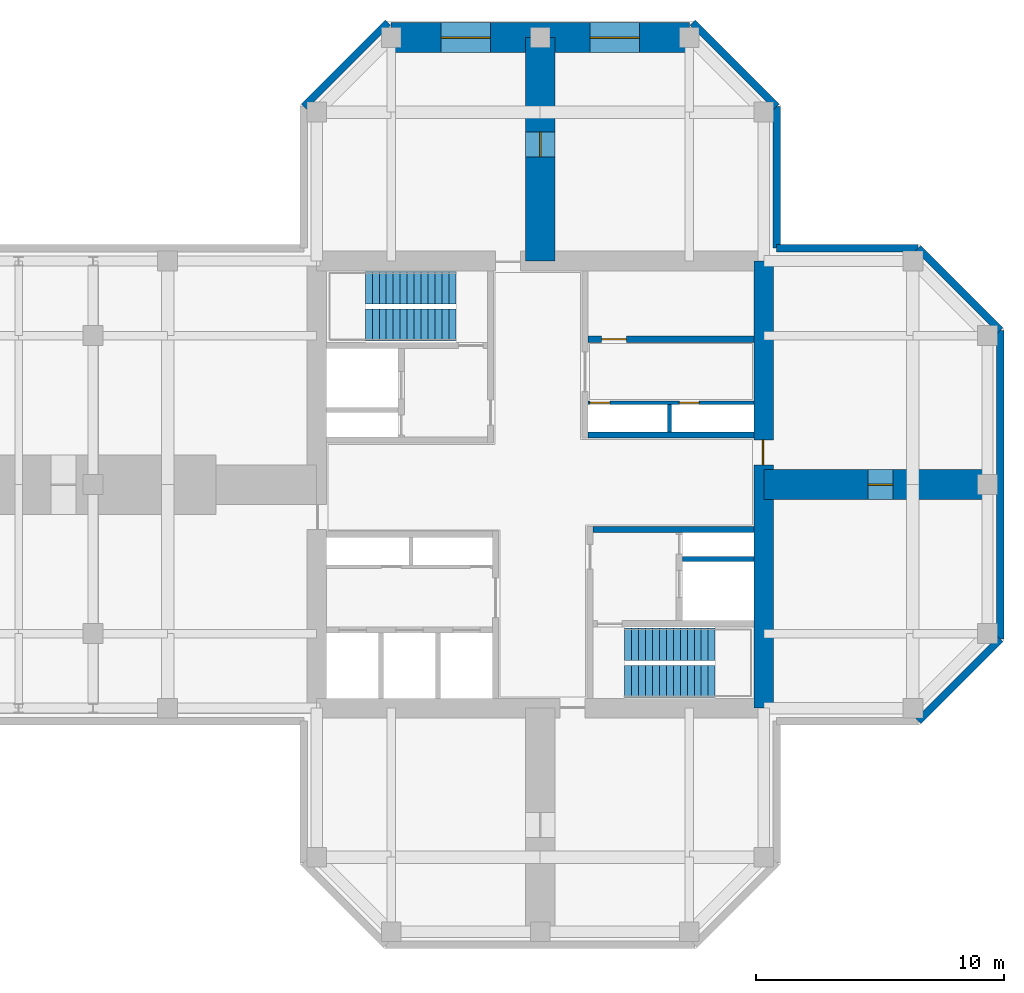
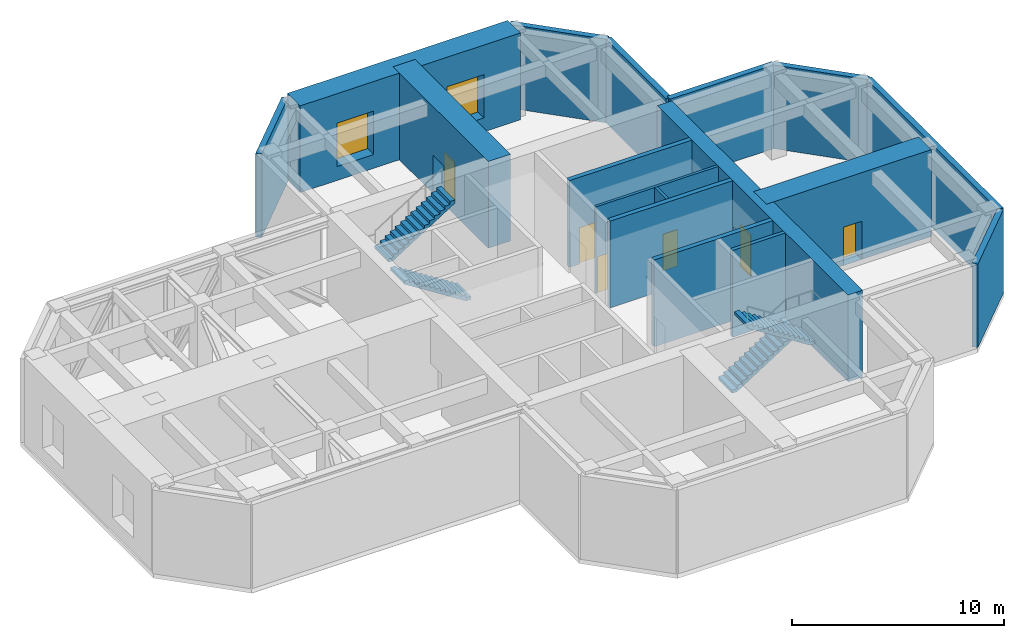
# One storey, part 5 of 6: 17 walls, 6 doors, 4 stair flights, 2 windows, 8 openings, 2 elements without a shape of their own.
"""IFC4 building model written with IfcOpenShell, lengths in metres."""

from ifc_helpers import new_model, si_unit, direction, frame, frame_2d, origin, place, context, subcontext, project, spatial, polyline, rectangle, hollow_rectangle, outline, extrude, material, layer, layer_set, constituent, constituent_set, type_object, element, fill, aggregate, save


model = new_model("IFC4")

# Units and contexts
model_context = context("Model", 3, precision=1e-05, world=origin(), true_north=direction((0.0, 1.0)))
body_context = subcontext(model_context, "Body", "Model", "MODEL_VIEW")
ifc_project = project(units=[si_unit("LENGTHUNIT", "METRE"), si_unit("AREAUNIT", "SQUARE_METRE"), si_unit("VOLUMEUNIT", "CUBIC_METRE"), si_unit("PLANEANGLEUNIT", "RADIAN"), si_unit("MASSUNIT", "GRAM", prefix="KILO")], contexts=[model_context])

# Site, building, storey
site_placement = place(None, origin())
site = spatial("IfcSite", under=ifc_project, at=site_placement, CompositionType="ELEMENT")
building_placement = place(site_placement, origin())
building = spatial("IfcBuilding", under=site, at=building_placement, Name="Torre Cruceta", CompositionType="ELEMENT")
storey_placement = place(building_placement, frame((0.0, 0.0, 252.699951171875)))
storey = spatial("IfcBuildingStorey", under=building, at=storey_placement, Name="L65", CompositionType="ELEMENT", Elevation=252.699951171875)

# Wall
ifc_material_1 = material(Name="Concrete G60 (fck 60 MPa)", Category="concrete")
ifc_layer_1 = layer(ifc_material_1, 0.25)
ifc_layer_set_1 = layer_set([ifc_layer_1], Name="Concrete G60 (fck 60 MPa)")
wall_type_1 = type_object("IfcWallType", Name="CORE INNER WALL 250 G60", PredefinedType="SHEAR", material=ifc_layer_set_1)
wall_1_placement = place(storey_placement, frame((1.925048828125, 2.0, 0.0), z_axis=(0.0, 0.0, 1.0), x_axis=(1.0, 0.0, 0.0)))
element("IfcWall", 1, at=wall_1_placement, inside=storey, type_object=wall_type_1, Name="CW4 L65 NE-CV", PredefinedType="SHEAR", context=body_context, shape_type="SweptSolid", body=[
    extrude(rectangle(XDim=6.675048828125, YDim=0.25, at=frame_2d((3.33740234375, 0.0))), origin(), (0.0, 0.0, 1.0), 5.0),
])

# Wall, opening, door
wall_2_placement = place(storey_placement, frame((1.925048828125, 5.85009765625, 0.0), z_axis=(0.0, 0.0, 1.0), x_axis=(1.0, 0.0, 0.0)))
wall_2 = element("IfcWall", 2, at=wall_2_placement, inside=storey, type_object=wall_type_1, Name="CW4 L65 NE-LV", PredefinedType="SHEAR", context=body_context, shape_type="SweptSolid", body=[
    extrude(rectangle(XDim=6.675048828125, YDim=0.25, at=frame_2d((3.33740234375, 0.0))), origin(), (0.0, 0.0, 1.0), 5.0),
])
opening_1_placement = place(wall_2_placement, frame((0.5458984375, 0.0, 0.0)))
opening_1 = element("IfcOpeningElement", 3, at=opening_1_placement, cuts=wall_2, Name="Opening D3", PredefinedType="OPENING", context=body_context, shape_type="SweptSolid", body=[
    extrude(rectangle(XDim=1.0, YDim=2.10009765625, at=frame_2d((0.5, 1.050048828125))), frame((0.0, 0.135009765625, 0.0), z_axis=(0.0, -1.0, 0.0), x_axis=(1.0, 0.0, 0.0)), (0.0, 0.0, 1.0), 0.27001953125),
])
ifc_material_2 = material(Name="Steel DX51D", Category="steel")
ifc_constituent_1 = constituent(ifc_material_2, Name="Leaf and frame")
ifc_material_3 = material(Name="Polyester powder coating", Category="paint")
ifc_constituent_2 = constituent(ifc_material_3, Name="Finish")
ifc_constituent_set_1 = constituent_set(constituents=[ifc_constituent_1, ifc_constituent_2], Name="Steel fire door")
door_type_1 = type_object("IfcDoorType", Name="FIRE DOOR 1000X2100", OperationType="SINGLE_SWING_LEFT", PredefinedType="DOOR", material=ifc_constituent_set_1)
door_1_placement = place(opening_1_placement, origin())
door_1 = element("IfcDoor", 4, at=door_1_placement, inside=storey, type_object=door_type_1, Name="D3 L65 NE-HR1", OperationType="SINGLE_SWING_LEFT", OverallHeight=2.10009765625, OverallWidth=1.0, PredefinedType="DOOR", context=body_context, shape_type="SweptSolid", body=[
    extrude(rectangle(XDim=1.0, YDim=2.10009765625, at=frame_2d((0.5, 1.050048828125))), frame((0.0, 0.02490234375, 0.0), z_axis=(0.0, -1.0, 0.0), x_axis=(1.0, 0.0, 0.0)), (0.0, 0.0, 1.0), 0.050048828125),
])
fill(opening_1, door_1)

# Wall
wall_3_placement = place(storey_placement, frame((2.125, -1.800048828125, 0.0), z_axis=(0.0, 0.0, 1.0), x_axis=(1.0, 0.0, 0.0)))
element("IfcWall", 5, at=wall_3_placement, inside=storey, type_object=wall_type_1, Name="CW4 L65 SE-CV", PredefinedType="SHEAR", context=body_context, shape_type="SweptSolid", body=[
    extrude(rectangle(XDim=6.47509765625, YDim=0.25, at=frame_2d((3.237548828125, 0.0))), origin(), (0.0, 0.0, 1.0), 5.0),
])

# Wall, opening, door
ifc_material_4 = material(Name="Concrete G60 (fck 60 MPa)", Category="concrete")
ifc_layer_2 = layer(ifc_material_4, 0.800048828125)
ifc_layer_set_2 = layer_set([ifc_layer_2], Name="Concrete G60 (fck 60 MPa)")
wall_type_2 = type_object("IfcWallType", Name="CORE WALL 800 G60", PredefinedType="SHEAR", material=ifc_layer_set_2)
wall_4_placement = place(storey_placement, frame((9.0, -9.0, 0.0), z_axis=(0.0, 0.0, 1.0), x_axis=(0.0, 1.0, 0.0)))
wall_4 = element("IfcWall", 6, at=wall_4_placement, inside=storey, type_object=wall_type_2, Name="CW3 L65 CW-E", PredefinedType="SHEAR", context=body_context, shape_type="SweptSolid", body=[
    extrude(rectangle(XDim=18.0, YDim=0.800048828125, at=frame_2d((9.0, 0.0))), origin(), (0.0, 0.0, 1.0), 5.0),
])
opening_2_placement = place(wall_4_placement, frame((9.800048828125, 0.0, 0.0)))
opening_2 = element("IfcOpeningElement", 7, at=opening_2_placement, cuts=wall_4, Name="Opening D4", PredefinedType="OPENING", context=body_context, shape_type="SweptSolid", body=[
    extrude(rectangle(XDim=1.0, YDim=2.39990234375, at=frame_2d((0.5, 1.199951171875))), frame((0.0, 0.409912109375, 0.0), z_axis=(0.0, -1.0, 0.0), x_axis=(1.0, 0.0, 0.0)), (0.0, 0.0, 1.0), 0.820068359375),
])
ifc_material_5 = material(Name="Steel DX51D", Category="steel")
ifc_constituent_3 = constituent(ifc_material_5, Name="Leaf and frame")
ifc_material_6 = material(Name="Polyester powder coating", Category="paint")
ifc_constituent_4 = constituent(ifc_material_6, Name="Finish")
ifc_constituent_set_2 = constituent_set(constituents=[ifc_constituent_3, ifc_constituent_4], Name="Steel fire door")
door_type_2 = type_object("IfcDoorType", Name="CORE ARM DOOR 1000X2400", OperationType="SINGLE_SWING_RIGHT", PredefinedType="DOOR", material=ifc_constituent_set_2)
door_2_placement = place(opening_2_placement, frame((1.0, 0.0, 0.0), z_axis=(0.0, 0.0, 1.0), x_axis=(-1.0, 0.0, 0.0)))
door_2 = element("IfcDoor", 8, at=door_2_placement, inside=storey, type_object=door_type_2, Name="D4 L65 CW-E", OperationType="SINGLE_SWING_RIGHT", OverallHeight=2.39990234375, OverallWidth=1.0, PredefinedType="DOOR", context=body_context, shape_type="SweptSolid", body=[
    extrude(rectangle(XDim=1.0, YDim=2.39990234375, at=frame_2d((0.5, 1.199951171875))), frame((0.0, -0.005126953125, 0.0), z_axis=(0.0, -1.0, 0.0), x_axis=(1.0, 0.0, 0.0)), (0.0, 0.0, 1.0), 0.050048828125),
])
fill(opening_2, door_2)

# Walls
ifc_material_7 = material(Name="Concrete G30 (fck 30 MPa)", Category="concrete")
ifc_layer_3 = layer(ifc_material_7, 0.300048828125)
ifc_layer_set_3 = layer_set([ifc_layer_3], Name="Concrete G30 (fck 30 MPa)")
wall_type_3 = type_object("IfcWallType", Name="EXPOSED CONCRETE FACADE WALL 300", PredefinedType="SOLIDWALL", material=ifc_layer_set_3)
wall_5_placement = place(storey_placement, frame((15.21533203125, -9.52001953125, 0.0), z_axis=(0.0, 0.0, 1.0), x_axis=(0.707106781187, 0.707106781187, 0.0)))
element("IfcWall", 9, at=wall_5_placement, inside=storey, type_object=wall_type_3, Name="EW1 facade wall L65 E chamfer 01", PredefinedType="SOLIDWALL", context=body_context, shape_type="SweptSolid", body=[
    extrude(rectangle(XDim=4.673583984375, YDim=0.300048828125, at=frame_2d((2.3369140625, 0.0))), origin(), (0.0, 0.0, 1.0), 4.820068359375),
])
wall_6_placement = place(storey_placement, frame((18.52001953125, -6.21533203125, 0.0), z_axis=(0.0, 0.0, 1.0), x_axis=(0.0, 1.0, 0.0)))
element("IfcWall", 10, at=wall_6_placement, inside=storey, type_object=wall_type_3, Name="EW1 facade wall L65 E tip 02", PredefinedType="SOLIDWALL", context=body_context, shape_type="SweptSolid", body=[
    extrude(rectangle(XDim=12.4306640625, YDim=0.300048828125, at=frame_2d((6.21533203125, 0.0))), origin(), (0.0, 0.0, 1.0), 4.820068359375),
])
wall_7_placement = place(storey_placement, frame((18.52001953125, 6.21533203125, 0.0), z_axis=(0.0, 0.0, 1.0), x_axis=(-0.707106781187, 0.707106781187, 0.0)))
element("IfcWall", 11, at=wall_7_placement, inside=storey, type_object=wall_type_3, Name="EW1 facade wall L65 E chamfer 03", PredefinedType="SOLIDWALL", context=body_context, shape_type="SweptSolid", body=[
    extrude(rectangle(XDim=4.673583984375, YDim=0.300048828125, at=frame_2d((2.3369140625, 0.0))), origin(), (0.0, 0.0, 1.0), 4.820068359375),
])
for number, where, z_axis, x_axis, name in (
    (12, (15.21533203125, 9.52001953125, 0.0), (0.0, 0.0, 1.0), (-1.0, 0.0, 0.0), "EW1 facade wall L65 E side 04"),
    (13, (9.52001953125, 9.52001953125, 0.0), (0.0, 0.0, 1.0), (0.0, 1.0, 0.0), "EW1 facade wall L65 N side 05"),
):
    element("IfcWall", number, at=place(storey_placement, frame(where, z_axis=z_axis, x_axis=x_axis)), inside=storey, type_object=wall_type_3, Name=name, PredefinedType="SOLIDWALL", context=body_context, shape_type="SweptSolid", body=[
        extrude(rectangle(XDim=5.6953125, YDim=0.300048828125, at=frame_2d((2.84765625, 0.0))), origin(), (0.0, 0.0, 1.0), 4.820068359375),
    ])
for number, where, z_axis, x_axis, name in (
    (14, (9.52001953125, 15.21533203125, 0.0), (0.0, 0.0, 1.0), (-0.707081278264, 0.707132283189, 0.0), "EW1 facade wall L65 N chamfer 06"),
    (15, (-6.135498046875, 18.60009765625, 0.0), (0.0, 0.0, 1.0), (-0.707081278264, -0.707132283189, 0.0), "EW1 facade wall L65 N chamfer 08"),
):
    element("IfcWall", number, at=place(storey_placement, frame(where, z_axis=z_axis, x_axis=x_axis)), inside=storey, type_object=wall_type_3, Name=name, PredefinedType="SOLIDWALL", context=body_context, shape_type="SweptSolid", body=[
        extrude(rectangle(XDim=4.78662109375, YDim=0.300048828125, at=frame_2d((2.393310546875, 0.0))), origin(), (0.0, 0.0, 1.0), 4.820068359375),
    ])
ifc_material_8 = material(Name="Concrete G35 (fck 35 MPa)", Category="concrete")
ifc_layer_4 = layer(ifc_material_8, 0.199951171875)
ifc_layer_set_4 = layer_set([ifc_layer_4], Name="Concrete G35 (fck 35 MPa)")
wall_type_4 = type_object("IfcWallType", Name="LIFT SHAFT WALL 200", PredefinedType="PARTITIONING", material=ifc_layer_set_4)
wall_8_placement = place(storey_placement, frame((5.72509765625, -3.0, 0.0), z_axis=(0.0, 0.0, 1.0), x_axis=(1.0, 0.0, 0.0)))
element("IfcWall", 16, at=wall_8_placement, inside=storey, type_object=wall_type_4, Name="SW1 L65 SE-FR", PredefinedType="PARTITIONING", context=body_context, shape_type="SweptSolid", body=[
    extrude(rectangle(XDim=2.875, YDim=0.199951171875, at=frame_2d((1.4375, 0.0))), origin(), (0.0, 0.0, 1.0), 5.0),
])

# Wall, openings, windows
ifc_material_9 = material(Name="Concrete G60 (fck 60 MPa)", Category="concrete")
ifc_layer_5 = layer(ifc_material_9, 1.199951171875)
ifc_layer_set_5 = layer_set([ifc_layer_5], Name="Concrete G60 (fck 60 MPa)")
wall_type_5 = type_object("IfcWallType", Name="NOSE WALL 1200 G60", PredefinedType="SHEAR", material=ifc_layer_set_5)
wall_9_placement = place(storey_placement, frame((6.0, 18.0, 0.0), z_axis=(0.0, 0.0, 1.0), x_axis=(-1.0, 0.0, 0.0)))
wall_9 = element("IfcWall", 17, at=wall_9_placement, inside=storey, type_object=wall_type_5, Name="NW1 nose wall L65 N", PredefinedType="SHEAR", context=body_context, shape_type="SweptSolid", body=[
    extrude(rectangle(XDim=12.0, YDim=1.199951171875, at=frame_2d((6.0, 0.0))), origin(), (0.0, 0.0, 1.0), 5.0),
])
opening_3_placement = place(wall_9_placement, frame((2.0, 0.0, 0.800048828125)))
opening_3 = element("IfcOpeningElement", 18, at=opening_3_placement, cuts=wall_9, Name="Opening WN3", PredefinedType="OPENING", context=body_context, shape_type="SweptSolid", body=[
    extrude(rectangle(XDim=2.0, YDim=2.5, at=frame_2d((1.0, 1.25))), frame((0.0, 0.60986328125, 0.0), z_axis=(0.0, -1.0, 0.0), x_axis=(1.0, 0.0, 0.0)), (0.0, 0.0, 1.0), 1.219970703125),
])
opening_4_placement = place(wall_9_placement, frame((8.0, 0.0, 0.800048828125)))
opening_4 = element("IfcOpeningElement", 19, at=opening_4_placement, cuts=wall_9, Name="Opening WN3", PredefinedType="OPENING", context=body_context, shape_type="SweptSolid", body=[
    extrude(rectangle(XDim=2.0, YDim=2.5, at=frame_2d((1.0, 1.25))), frame((0.0, 0.60986328125, 0.0), z_axis=(0.0, -1.0, 0.0), x_axis=(1.0, 0.0, 0.0)), (0.0, 0.0, 1.0), 1.219970703125),
])
ifc_material_10 = material(Name="Aluminium window frame", Category="aluminium")
ifc_constituent_5 = constituent(ifc_material_10, Name="Frame")
ifc_material_11 = material(Name="Laminated insulating glass unit, low-iron clear", Category="glass")
ifc_constituent_6 = constituent(ifc_material_11, Name="Glazing")
ifc_constituent_set_3 = constituent_set(constituents=[ifc_constituent_5, ifc_constituent_6], Name="Aluminium window")
window_type = type_object("IfcWindowType", Name="PLANT LOUVRE 2000X2500", PartitioningType="SINGLE_PANEL", PredefinedType="WINDOW", material=ifc_constituent_set_3)
window_1_placement = place(opening_3_placement, origin())
window_1 = element("IfcWindow", 20, at=window_1_placement, inside=storey, type_object=window_type, Name="WN3 L65 N 1", OverallHeight=2.5, OverallWidth=2.0, PartitioningType="SINGLE_PANEL", PredefinedType="WINDOW", context=body_context, shape_type="SweptSolid", body=[
    extrude(hollow_rectangle(XDim=2.0, YDim=2.5, WallThickness=0.06005859375, at=frame_2d((1.0, 1.25))), frame((0.0, 0.030029296875, 0.0), z_axis=(0.0, -1.0, 0.0), x_axis=(1.0, 0.0, 0.0)), (0.0, 0.0, 1.0), 0.06005859375),
    extrude(rectangle(XDim=1.87890625, YDim=2.37890625, at=frame_2d((1.0, 1.25))), frame((0.0, 0.030029296875, 0.0), z_axis=(0.0, -1.0, 0.0), x_axis=(1.0, 0.0, 0.0)), (0.0, 0.0, 1.0), 0.06005859375),
])
fill(opening_3, window_1)
window_2_placement = place(opening_4_placement, origin())
window_2 = element("IfcWindow", 21, at=window_2_placement, inside=storey, type_object=window_type, Name="WN3 L65 N 2", OverallHeight=2.5, OverallWidth=2.0, PartitioningType="SINGLE_PANEL", PredefinedType="WINDOW", context=body_context, shape_type="SweptSolid", body=[
    extrude(hollow_rectangle(XDim=2.0, YDim=2.5, WallThickness=0.06005859375, at=frame_2d((1.0, 1.25))), frame((0.0, 0.030029296875, 0.0), z_axis=(0.0, -1.0, 0.0), x_axis=(1.0, 0.0, 0.0)), (0.0, 0.0, 1.0), 0.06005859375),
    extrude(rectangle(XDim=1.87890625, YDim=2.37890625, at=frame_2d((1.0, 1.25))), frame((0.0, 0.030029296875, 0.0), z_axis=(0.0, -1.0, 0.0), x_axis=(1.0, 0.0, 0.0)), (0.0, 0.0, 1.0), 0.06005859375),
])
fill(opening_4, window_2)

# Wall, openings, doors
ifc_material_12 = material(Name="Concrete block masonry", Category="masonry")
ifc_layer_6 = layer(ifc_material_12, 0.14990234375)
ifc_layer_set_6 = layer_set([ifc_layer_6], Name="Concrete block masonry")
wall_type_6 = type_object("IfcWallType", Name="RISER WALL 150", PredefinedType="PARTITIONING", material=ifc_layer_set_6)
wall_10_placement = place(storey_placement, frame((1.925048828125, 3.300048828125, 0.0), z_axis=(0.0, 0.0, 1.0), x_axis=(1.0, 0.0, 0.0)))
wall_10 = element("IfcWall", 22, at=wall_10_placement, inside=storey, type_object=wall_type_6, Name="SW7 L65 NE-RV", PredefinedType="PARTITIONING", context=body_context, shape_type="SweptSolid", body=[
    extrude(rectangle(XDim=6.675048828125, YDim=0.14990234375, at=frame_2d((3.33740234375, 0.0))), origin(), (0.0, 0.0, 1.0), 5.0),
])
opening_5_placement = place(wall_10_placement, frame((0.074951171875, 0.0, 0.0)))
opening_5 = element("IfcOpeningElement", 23, at=opening_5_placement, cuts=wall_10, Name="Opening D5", PredefinedType="OPENING", context=body_context, shape_type="SweptSolid", body=[
    extrude(rectangle(XDim=0.800048828125, YDim=2.10009765625, at=frame_2d((0.39990234375, 1.050048828125))), frame((0.0, 0.0849609375, 0.0), z_axis=(0.0, -1.0, 0.0), x_axis=(1.0, 0.0, 0.0)), (0.0, 0.0, 1.0), 0.169921875),
])
opening_6_placement = place(wall_10_placement, frame((3.675048828125, 0.0, 0.0)))
opening_6 = element("IfcOpeningElement", 24, at=opening_6_placement, cuts=wall_10, Name="Opening D5", PredefinedType="OPENING", context=body_context, shape_type="SweptSolid", body=[
    extrude(rectangle(XDim=0.800048828125, YDim=2.10009765625, at=frame_2d((0.39990234375, 1.050048828125))), frame((0.0, 0.0849609375, 0.0), z_axis=(0.0, -1.0, 0.0), x_axis=(1.0, 0.0, 0.0)), (0.0, 0.0, 1.0), 0.169921875),
])
ifc_material_13 = material(Name="Steel DX51D", Category="steel")
ifc_constituent_7 = constituent(ifc_material_13, Name="Leaf and frame")
ifc_material_14 = material(Name="Polyester powder coating", Category="paint")
ifc_constituent_8 = constituent(ifc_material_14, Name="Finish")
ifc_constituent_set_4 = constituent_set(constituents=[ifc_constituent_7, ifc_constituent_8], Name="Steel fire door")
door_type_3 = type_object("IfcDoorType", Name="RISER ACCESS DOOR 800X2100", OperationType="SINGLE_SWING_LEFT", PredefinedType="DOOR", material=ifc_constituent_set_4)
door_3_placement = place(opening_5_placement, frame((0.800048828125, 0.0, 0.0), z_axis=(0.0, 0.0, 1.0), x_axis=(-1.0, 0.0, 0.0)))
door_3 = element("IfcDoor", 25, at=door_3_placement, inside=storey, type_object=door_type_3, Name="D5 L65 NE-RISER1", OperationType="SINGLE_SWING_RIGHT", OverallHeight=2.10009765625, OverallWidth=0.800048828125, PredefinedType="DOOR", context=body_context, shape_type="SweptSolid", body=[
    extrude(rectangle(XDim=0.800048828125, YDim=2.10009765625, at=frame_2d((0.400146484375, 1.050048828125))), frame((0.0, 0.025146484375, 0.0), z_axis=(0.0, -1.0, 0.0), x_axis=(1.0, 0.0, 0.0)), (0.0, 0.0, 1.0), 0.050048828125),
])
fill(opening_5, door_3)
door_4_placement = place(opening_6_placement, frame((0.800048828125, 0.0, 0.0), z_axis=(0.0, 0.0, 1.0), x_axis=(-1.0, 0.0, 0.0)))
door_4 = element("IfcDoor", 26, at=door_4_placement, inside=storey, type_object=door_type_3, Name="D5 L65 NE-RISER2", OperationType="SINGLE_SWING_RIGHT", OverallHeight=2.10009765625, OverallWidth=0.800048828125, PredefinedType="DOOR", context=body_context, shape_type="SweptSolid", body=[
    extrude(rectangle(XDim=0.800048828125, YDim=2.10009765625, at=frame_2d((0.400146484375, 1.050048828125))), frame((0.0, 0.025146484375, 0.0), z_axis=(0.0, -1.0, 0.0), x_axis=(1.0, 0.0, 0.0)), (0.0, 0.0, 1.0), 0.050048828125),
])
fill(opening_6, door_4)

# Wall
wall_11_placement = place(storey_placement, frame((5.199951171875, 2.125, 0.0), z_axis=(0.0, 0.0, 1.0), x_axis=(0.0, 1.0, 0.0)))
element("IfcWall", 27, at=wall_11_placement, inside=storey, type_object=wall_type_6, Name="SW7 L65 NE-RU", PredefinedType="PARTITIONING", context=body_context, shape_type="SweptSolid", body=[
    extrude(rectangle(XDim=1.10009765625, YDim=0.14990234375, at=frame_2d((0.550048828125, 0.0))), origin(), (0.0, 0.0, 1.0), 5.0),
])

# Wall, opening, door
ifc_material_15 = material(Name="Concrete G60 (fck 60 MPa)", Category="concrete")
ifc_layer_7 = layer(ifc_material_15, 1.199951171875)
ifc_layer_set_7 = layer_set([ifc_layer_7], Name="Concrete G60 (fck 60 MPa)")
wall_type_7 = type_object("IfcWallType", Name="SPINE WALL 1200 G60", PredefinedType="SHEAR", material=ifc_layer_set_7)
wall_12_placement = place(storey_placement, frame((0.0, 9.0, 0.0), z_axis=(0.0, 0.0, 1.0), x_axis=(0.0, 1.0, 0.0)))
wall_12 = element("IfcWall", 28, at=wall_12_placement, inside=storey, type_object=wall_type_7, Name="SW3 spine wall L65 N", PredefinedType="SHEAR", context=body_context, shape_type="SweptSolid", body=[
    extrude(rectangle(XDim=9.0, YDim=1.199951171875, at=frame_2d((4.5, 0.0))), origin(), (0.0, 0.0, 1.0), 5.0),
])
opening_7_placement = place(wall_12_placement, frame((4.199951171875, 0.0, 0.0)))
opening_7 = element("IfcOpeningElement", 29, at=opening_7_placement, cuts=wall_12, Name="Opening D14", PredefinedType="OPENING", context=body_context, shape_type="SweptSolid", body=[
    extrude(rectangle(XDim=1.0, YDim=2.199951171875, at=frame_2d((0.5, 1.10009765625))), frame((0.0, 0.60986328125, 0.0), z_axis=(0.0, -1.0, 0.0), x_axis=(1.0, 0.0, 0.0)), (0.0, 0.0, 1.0), 1.219970703125),
])
ifc_material_16 = material(Name="Steel DX51D", Category="steel")
ifc_constituent_9 = constituent(ifc_material_16, Name="Leaf and frame")
ifc_material_17 = material(Name="Polyester powder coating", Category="paint")
ifc_constituent_10 = constituent(ifc_material_17, Name="Finish")
ifc_material_18 = material(Name="Fire-resisting glass", Category="glass")
ifc_constituent_11 = constituent(ifc_material_18, Name="Vision panel")
ifc_constituent_set_5 = constituent_set(constituents=[ifc_constituent_9, ifc_constituent_10, ifc_constituent_11], Name="Steel fire door with vision panel")
door_type_4 = type_object("IfcDoorType", Name="FIRE DOOR VISION PANEL 1000X2200", OperationType="SINGLE_SWING_RIGHT", PredefinedType="DOOR", material=ifc_constituent_set_5)
door_5_placement = place(opening_7_placement, frame((1.0, 0.0, 0.0), z_axis=(0.0, 0.0, 1.0), x_axis=(-1.0, 0.0, 0.0)))
door_5 = element("IfcDoor", 30, at=door_5_placement, inside=storey, type_object=door_type_4, Name="D14 L65-N-SP1", OperationType="SINGLE_SWING_LEFT", OverallHeight=2.199951171875, OverallWidth=1.0, PredefinedType="DOOR", context=body_context, shape_type="SweptSolid", body=[
    extrude(rectangle(XDim=1.0, YDim=2.199951171875, at=frame_2d((0.5, 1.10009765625))), frame((0.0, 0.025146484375, 0.0), z_axis=(0.0, -1.0, 0.0), x_axis=(1.0, 0.0, 0.0)), (0.0, 0.0, 1.0), 0.050048828125),
])
fill(opening_7, door_5)

wall_13_placement = place(storey_placement, frame((9.0, 0.0, 0.0), z_axis=(0.0, 0.0, 1.0), x_axis=(1.0, 0.0, 0.0)))
wall_13 = element("IfcWall", 31, at=wall_13_placement, inside=storey, type_object=wall_type_7, Name="SW3 spine wall L65 E", PredefinedType="SHEAR", context=body_context, shape_type="SweptSolid", body=[
    extrude(rectangle(XDim=9.0, YDim=1.199951171875, at=frame_2d((4.5, 0.0))), origin(), (0.0, 0.0, 1.0), 5.0),
])
opening_8_placement = place(wall_13_placement, frame((4.199951171875, 0.0, 0.0)))
opening_8 = element("IfcOpeningElement", 32, at=opening_8_placement, cuts=wall_13, Name="Opening D14", PredefinedType="OPENING", context=body_context, shape_type="SweptSolid", body=[
    extrude(rectangle(XDim=1.0, YDim=2.199951171875, at=frame_2d((0.5, 1.10009765625))), frame((0.0, 0.60986328125, 0.0), z_axis=(0.0, -1.0, 0.0), x_axis=(1.0, 0.0, 0.0)), (0.0, 0.0, 1.0), 1.219970703125),
])
door_6_placement = place(opening_8_placement, frame((1.0, 0.0, 0.0), z_axis=(0.0, 0.0, 1.0), x_axis=(-1.0, 0.0, 0.0)))
door_6 = element("IfcDoor", 33, at=door_6_placement, inside=storey, type_object=door_type_4, Name="D14 L65-E-SP1", OperationType="SINGLE_SWING_RIGHT", OverallHeight=2.199951171875, OverallWidth=1.0, PredefinedType="DOOR", context=body_context, shape_type="SweptSolid", body=[
    extrude(rectangle(XDim=1.0, YDim=2.199951171875, at=frame_2d((0.5, 1.10009765625))), frame((0.0, 0.025146484375, 0.0), z_axis=(0.0, -1.0, 0.0), x_axis=(1.0, 0.0, 0.0)), (0.0, 0.0, 1.0), 0.050048828125),
])
fill(opening_8, door_6)

# Stair, stair flights
ifc_material_19 = material(Name="Concrete G30 (fck 30 MPa)", Category="concrete")
stair_type = type_object("IfcStairType", Name="STAIR HALF-TURN 1300", PredefinedType="HALF_TURN_STAIR", material=ifc_material_19)
stair_1_placement = place(storey_placement, origin())
stair_1 = element("IfcStair", 34, at=stair_1_placement, inside=storey, type_object=stair_type, Name="Stair ST1 L65", PredefinedType="HALF_TURN_STAIR")
ifc_material_20 = material(Name="Concrete G30 (fck 30 MPa)", Category="concrete")
stair_flight_type = type_object("IfcStairFlightType", Name="STAIR FLIGHT 1300", PredefinedType="STRAIGHT", material=ifc_material_20)
stair_flight_1_placement = place(storey_placement, frame((-3.39990234375, 6.425048828125, 0.0), z_axis=(0.0, 0.0, 1.0), x_axis=(-1.0, 0.0, 0.0)))
stair_flight_1 = element("IfcStairFlight", 35, at=stair_flight_1_placement, type_object=stair_flight_type, Name="ST1 flight 1", NumberOfRisers=14, NumberOfTreads=13, PredefinedType="STRAIGHT", RiserHeight=0.178571429, TreadLength=0.28, context=body_context, shape_type="SweptSolid", body=[
    extrude(outline(polyline([(0.0, 0.0), (0.0, 0.178466796875), (0.280029296875, 0.178466796875), (0.280029296875, 0.357177734375), (0.56005859375, 0.357177734375), (0.56005859375, 0.53564453125), (0.840087890625, 0.53564453125), (0.840087890625, 0.71435546875), (1.1201171875, 0.71435546875), (1.1201171875, 0.892822265625), (1.39990234375, 0.892822265625), (1.39990234375, 1.071533203125), (1.679931640625, 1.071533203125), (1.679931640625, 1.25), (1.9599609375, 1.25), (1.9599609375, 1.428466796875), (2.239990234375, 1.428466796875), (2.239990234375, 1.607177734375), (2.52001953125, 1.607177734375), (2.52001953125, 1.78564453125), (2.800048828125, 1.78564453125), (2.800048828125, 1.96435546875), (3.080078125, 1.96435546875), (3.080078125, 2.142822265625), (3.360107421875, 2.142822265625), (3.360107421875, 2.321533203125), (3.639892578125, 2.321533203125), (3.639892578125, 2.5), (3.639892578125, 2.1435546875), (0.27880859375, 0.0), (0.0, 0.0)])), frame((0.0, 0.64990234375, 0.0), z_axis=(0.0, -1.0, 0.0), x_axis=(1.0, 0.0, 0.0)), (0.0, 0.0, 1.0), 1.300048828125),
])
stair_flight_2_placement = place(storey_placement, frame((-7.0400390625, 7.925048828125, 2.5), z_axis=(0.0, 0.0, 1.0), x_axis=(1.0, 0.0, 0.0)))
stair_flight_2 = element("IfcStairFlight", 36, at=stair_flight_2_placement, type_object=stair_flight_type, Name="ST1 flight 2", NumberOfRisers=14, NumberOfTreads=13, PredefinedType="STRAIGHT", RiserHeight=0.178571429, TreadLength=0.28, context=body_context, shape_type="SweptSolid", body=[
    extrude(outline(polyline([(0.0, 0.0), (0.0, 0.178466796875), (0.280029296875, 0.178466796875), (0.280029296875, 0.357177734375), (0.56005859375, 0.357177734375), (0.56005859375, 0.53564453125), (0.840087890625, 0.53564453125), (0.840087890625, 0.71435546875), (1.1201171875, 0.71435546875), (1.1201171875, 0.892822265625), (1.39990234375, 0.892822265625), (1.39990234375, 1.071533203125), (1.679931640625, 1.071533203125), (1.679931640625, 1.25), (1.9599609375, 1.25), (1.9599609375, 1.428466796875), (2.239990234375, 1.428466796875), (2.239990234375, 1.607177734375), (2.52001953125, 1.607177734375), (2.52001953125, 1.78564453125), (2.800048828125, 1.78564453125), (2.800048828125, 1.96435546875), (3.080078125, 1.96435546875), (3.080078125, 2.142822265625), (3.360107421875, 2.142822265625), (3.360107421875, 2.321533203125), (3.639892578125, 2.321533203125), (3.639892578125, 2.5), (3.639892578125, 2.1435546875), (0.27880859375, 0.0), (0.0, 0.0)])), frame((0.0, 0.64990234375, 0.0), z_axis=(0.0, -1.0, 0.0), x_axis=(1.0, 0.0, 0.0)), (0.0, 0.0, 1.0), 1.300048828125),
])
aggregate(stair_1, [stair_flight_1, stair_flight_2])

stair_2_placement = place(storey_placement, origin())
stair_2 = element("IfcStair", 37, at=stair_2_placement, inside=storey, type_object=stair_type, Name="Stair ST2 L65", PredefinedType="HALF_TURN_STAIR")
stair_flight_3_placement = place(storey_placement, frame((3.39990234375, -6.425048828125, 0.0), z_axis=(0.0, 0.0, 1.0), x_axis=(1.0, 0.0, 0.0)))
stair_flight_3 = element("IfcStairFlight", 38, at=stair_flight_3_placement, type_object=stair_flight_type, Name="ST2 flight 1", NumberOfRisers=14, NumberOfTreads=13, PredefinedType="STRAIGHT", RiserHeight=0.178571429, TreadLength=0.28, context=body_context, shape_type="SweptSolid", body=[
    extrude(outline(polyline([(0.0, 0.0), (0.0, 0.178466796875), (0.280029296875, 0.178466796875), (0.280029296875, 0.357177734375), (0.56005859375, 0.357177734375), (0.56005859375, 0.53564453125), (0.840087890625, 0.53564453125), (0.840087890625, 0.71435546875), (1.1201171875, 0.71435546875), (1.1201171875, 0.892822265625), (1.39990234375, 0.892822265625), (1.39990234375, 1.071533203125), (1.679931640625, 1.071533203125), (1.679931640625, 1.25), (1.9599609375, 1.25), (1.9599609375, 1.428466796875), (2.239990234375, 1.428466796875), (2.239990234375, 1.607177734375), (2.52001953125, 1.607177734375), (2.52001953125, 1.78564453125), (2.800048828125, 1.78564453125), (2.800048828125, 1.96435546875), (3.080078125, 1.96435546875), (3.080078125, 2.142822265625), (3.360107421875, 2.142822265625), (3.360107421875, 2.321533203125), (3.639892578125, 2.321533203125), (3.639892578125, 2.5), (3.639892578125, 2.1435546875), (0.27880859375, 0.0), (0.0, 0.0)])), frame((0.0, 0.64990234375, 0.0), z_axis=(0.0, -1.0, 0.0), x_axis=(1.0, 0.0, 0.0)), (0.0, 0.0, 1.0), 1.300048828125),
])
stair_flight_4_placement = place(storey_placement, frame((7.0400390625, -7.925048828125, 2.5), z_axis=(0.0, 0.0, 1.0), x_axis=(-1.0, 0.0, 0.0)))
stair_flight_4 = element("IfcStairFlight", 39, at=stair_flight_4_placement, type_object=stair_flight_type, Name="ST2 flight 2", NumberOfRisers=14, NumberOfTreads=13, PredefinedType="STRAIGHT", RiserHeight=0.178571429, TreadLength=0.28, context=body_context, shape_type="SweptSolid", body=[
    extrude(outline(polyline([(0.0, 0.0), (0.0, 0.178466796875), (0.280029296875, 0.178466796875), (0.280029296875, 0.357177734375), (0.56005859375, 0.357177734375), (0.56005859375, 0.53564453125), (0.840087890625, 0.53564453125), (0.840087890625, 0.71435546875), (1.1201171875, 0.71435546875), (1.1201171875, 0.892822265625), (1.39990234375, 0.892822265625), (1.39990234375, 1.071533203125), (1.679931640625, 1.071533203125), (1.679931640625, 1.25), (1.9599609375, 1.25), (1.9599609375, 1.428466796875), (2.239990234375, 1.428466796875), (2.239990234375, 1.607177734375), (2.52001953125, 1.607177734375), (2.52001953125, 1.78564453125), (2.800048828125, 1.78564453125), (2.800048828125, 1.96435546875), (3.080078125, 1.96435546875), (3.080078125, 2.142822265625), (3.360107421875, 2.142822265625), (3.360107421875, 2.321533203125), (3.639892578125, 2.321533203125), (3.639892578125, 2.5), (3.639892578125, 2.1435546875), (0.27880859375, 0.0), (0.0, 0.0)])), frame((0.0, 0.64990234375, 0.0), z_axis=(0.0, -1.0, 0.0), x_axis=(1.0, 0.0, 0.0)), (0.0, 0.0, 1.0), 1.300048828125),
])
aggregate(stair_2, [stair_flight_3, stair_flight_4])

save(model, "model.ifc")
